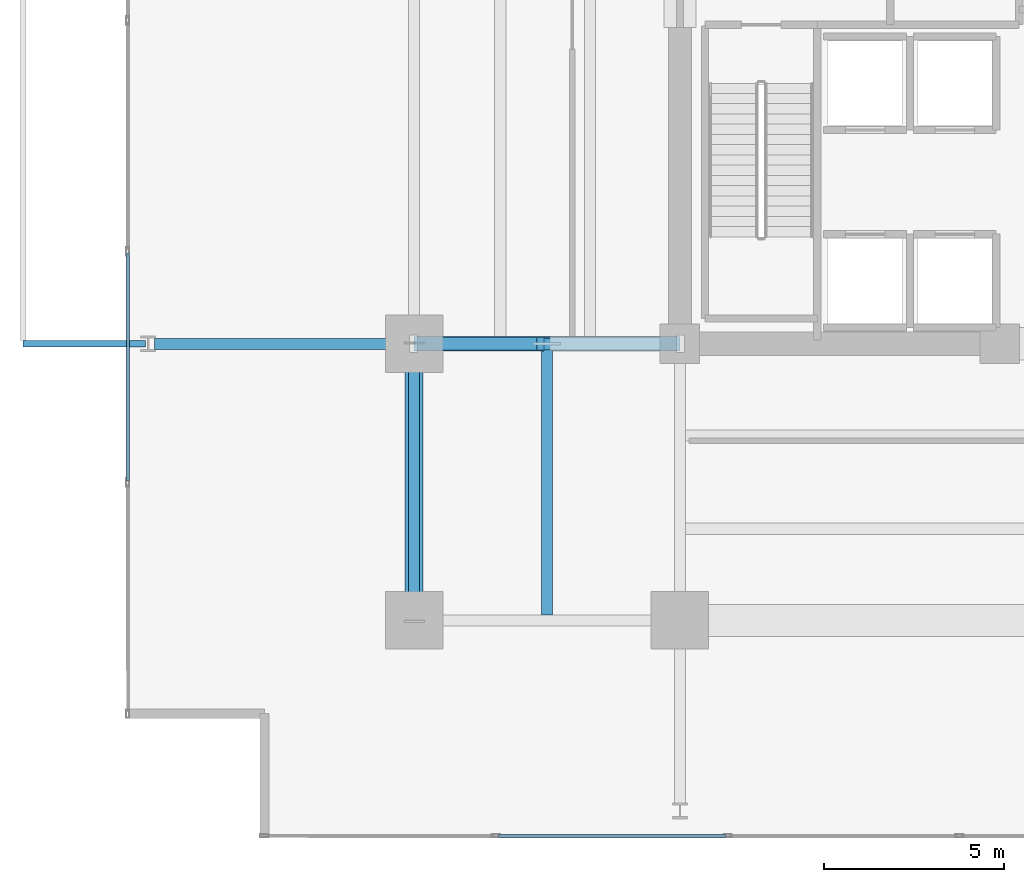
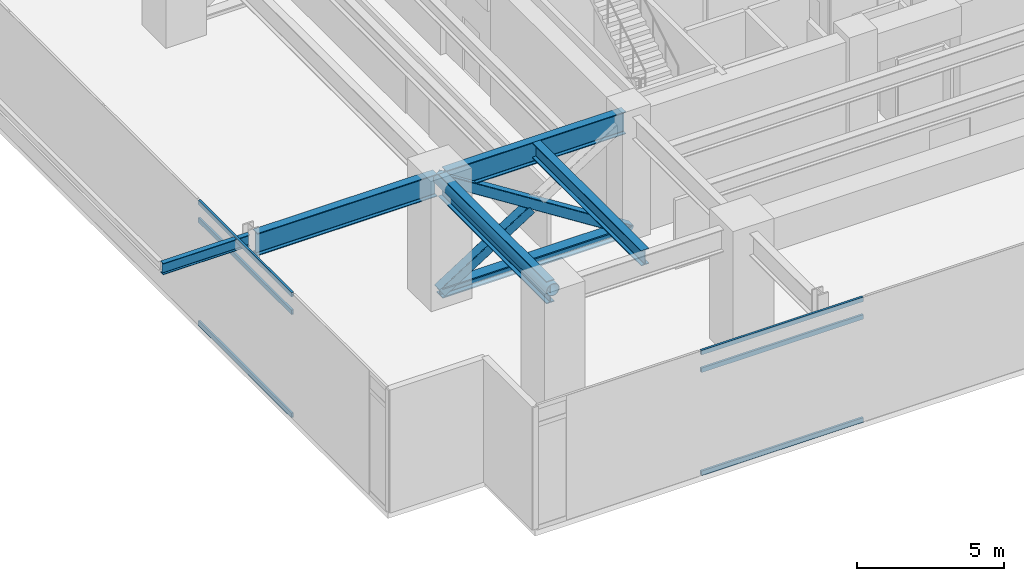
# One storey, part 3 of 26: 10 members, 5 beams, 2 elements without a shape of their own.
"""IFC4 building model written with IfcOpenShell, lengths in metres."""

import ifcopenshell
import ifcopenshell.guid

model = None  # the IFC model being written
_history = None  # IfcOwnerHistory: only IFC2X3 demands one
_inside = {}  # id of a spatial element -> (the spatial element, [elements in it])
_under = {}  # id of a project, library or spatial element -> (it, [spatial elements below it])
_declared = {}  # id of a project -> (the project, [libraries it declares])
_typed = {}  # id of a type object -> (the type object, [elements of that type])
_made_of = {}  # id of a material, layer set ... -> (it, [elements and type objects made of it])


def new_model(schema):
    """Start an empty IFC model of exactly this schema.

    Asked for "IFC4X3", IfcOpenShell would pick the latest addendum, in which some entities
    have other attributes; the version numbers below select the first issue.
    IFC2X3 requires an IfcOwnerHistory on every rooted entity: one is made here for all.
    """
    global model, _history
    if schema == "IFC4X3":
        model = ifcopenshell.file(schema_version=(4, 3, 0, 0))
    else:
        model = ifcopenshell.file(schema=schema)
    _inside.clear()
    _under.clear()
    _declared.clear()
    _typed.clear()
    _made_of.clear()
    _history = None
    if model.schema == "IFC2X3":
        org = make("IfcOrganization", Name="unknown")
        user = make(
            "IfcPersonAndOrganization",
            ThePerson=make("IfcPerson", FamilyName="unknown"),
            TheOrganization=org,
        )
        app = make(
            "IfcApplication",
            ApplicationDeveloper=org,
            Version="unknown",
            ApplicationFullName="unknown",
            ApplicationIdentifier="unknown",
        )
        _history = make(
            "IfcOwnerHistory",
            OwningUser=user,
            OwningApplication=app,
            ChangeAction="ADDED",
            CreationDate=0,
        )
    return model


def make(cls, **values):
    """One entity of the class cls with the attributes given. An attribute that is None is left unset."""
    return model.create_entity(
        cls, **{name: value for name, value in values.items() if value is not None}
    )


def rooted(cls, **values):
    """An entity with a GlobalId (a new one), such as an element, a storey or a relation."""
    return make(cls, GlobalId=ifcopenshell.guid.new(), OwnerHistory=_history, **values)


def si_unit(unit_type, name, prefix=None):
    """IfcSIUnit, for example si_unit("LENGTHUNIT", "METRE", prefix="MILLI")."""
    return make("IfcSIUnit", UnitType=unit_type, Prefix=prefix, Name=name)


def assignment(units):
    """IfcUnitAssignment: the units of a project."""
    return None if units is None else make("IfcUnitAssignment", Units=units)


def point(xyz):
    """IfcCartesianPoint."""
    return None if xyz is None else make("IfcCartesianPoint", Coordinates=xyz)


def direction(xyz):
    """IfcDirection."""
    return None if xyz is None else make("IfcDirection", DirectionRatios=xyz)


def frame(location, z_axis=None, x_axis=None):
    """IfcAxis2Placement3D, a coordinate frame: its origin and axes. An axis left out is left unset."""
    return make(
        "IfcAxis2Placement3D",
        Location=point(location),
        Axis=direction(z_axis),
        RefDirection=direction(x_axis),
    )


def frame_2d(location, x_axis=None):
    """IfcAxis2Placement2D, a coordinate frame in the plane: its origin and x axis."""
    return make(
        "IfcAxis2Placement2D", Location=point(location), RefDirection=direction(x_axis)
    )


def origin():
    """The frame at (0, 0, 0) with its axes left unset."""
    return frame((0.0, 0.0, 0.0))


def origin_2d():
    """The frame at (0, 0) in the plane with its x axis left unset."""
    return frame_2d((0.0, 0.0))


def place(relative_to, where):
    """IfcLocalPlacement: puts the frame where relative to a parent placement (None: the world)."""
    return make(
        "IfcLocalPlacement", PlacementRelTo=relative_to, RelativePlacement=where
    )


def context(
    kind, dimensions, precision=None, world=None, true_north=None, identifier=None
):
    """IfcGeometricRepresentationContext, for example the 3D "Model" context."""
    return make(
        "IfcGeometricRepresentationContext",
        ContextIdentifier=identifier,
        ContextType=kind,
        CoordinateSpaceDimension=dimensions,
        Precision=precision,
        WorldCoordinateSystem=world,
        TrueNorth=true_north,
    )


def subcontext(parent, identifier, kind, view, scale=None):
    """IfcGeometricRepresentationSubContext, for example "Body" below "Model"."""
    return make(
        "IfcGeometricRepresentationSubContext",
        ContextIdentifier=identifier,
        ContextType=kind,
        ParentContext=parent,
        TargetScale=scale,
        TargetView=view,
    )


def project(units=None, contexts=None):
    """IfcProject with its units and contexts."""
    return rooted(
        "IfcProject",
        Name="project",
        RepresentationContexts=contexts,
        UnitsInContext=assignment(units),
    )


def spatial(cls, under=None, at=None, **own):
    """A site, building, storey or space (cls), placed at a placement, below another one or the project."""
    s = rooted(cls, ObjectPlacement=at, **own)
    if under is not None:
        _under.setdefault(under.id(), (under, []))[1].append(s)
    return s


def profile(cls, at=None, kind="AREA", **sizes):
    """A parametric profile (cls). Its sizes go by their IFC names, for example OverallWidth=200.0."""
    return make(cls, ProfileType=kind, Position=at, **sizes)


def hollow_rectangle(**sizes):
    """IfcRectangleHollowProfileDef."""
    return profile("IfcRectangleHollowProfileDef", **sizes)


def hollow_circle(**sizes):
    """IfcCircleHollowProfileDef."""
    return profile("IfcCircleHollowProfileDef", **sizes)


def i_section(**sizes):
    """IfcIShapeProfileDef."""
    return profile("IfcIShapeProfileDef", **sizes)


def extrude(swept, where, along, depth):
    """IfcExtrudedAreaSolid: the profile swept, set in the frame where, extruded along a direction by depth."""
    return make(
        "IfcExtrudedAreaSolid",
        SweptArea=swept,
        Position=where,
        ExtrudedDirection=direction(along),
        Depth=depth,
    )


def shape(context_of_items, identifier, shape_type, items):
    """IfcShapeRepresentation: the items that make up one representation, for example the "Body"."""
    return make(
        "IfcShapeRepresentation",
        ContextOfItems=context_of_items,
        RepresentationIdentifier=identifier,
        RepresentationType=shape_type,
        Items=items,
    )


def material(Name=None, Category=None):
    """IfcMaterial."""
    return make("IfcMaterial", Name=Name, Category=Category)


def material_profile(
    of_material, cross_section, Name=None, Category=None, Priority=None
):
    """IfcMaterialProfile: a cross section and its material."""
    return make(
        "IfcMaterialProfile",
        Name=Name,
        Material=of_material,
        Profile=cross_section,
        Priority=Priority,
        Category=Category,
    )


def profile_set(profiles, Name=None, composite=None):
    """IfcMaterialProfileSet."""
    return make(
        "IfcMaterialProfileSet",
        Name=Name,
        MaterialProfiles=profiles,
        CompositeProfile=composite,
    )


def made_of(thing, what):
    """Note that an element or type object is made of a material, layer set ...; save() writes the relation."""
    if what is not None:
        _made_of.setdefault(what.id(), (what, []))[1].append(thing)
    return thing


def type_object(cls, material=None, **own):
    """A type object (cls), such as IfcWallType, which elements share."""
    return made_of(rooted(cls, **own), material)


def element(
    cls,
    number,
    at=None,
    inside=None,
    cuts=None,
    type_object=None,
    material=None,
    context=None,
    identifier="Body",
    shape_type=None,
    held_by="IfcProductDefinitionShape",
    body=None,
    shapes=None,
    **own,
):
    """One element of the class cls, such as IfcWall. Its Tag is "e" and its number.

    at: its placement. inside: the storey or other place that contains it. cuts: it is an
    opening in that element (IfcRelVoidsElement). A single representation is given by context,
    identifier, shape_type and body (its items); several are given by shapes. held_by: the class
    of the entity that holds the representations. save() writes the other relations.
    """
    e = rooted(cls, Tag="e%d" % number, ObjectPlacement=at, **own)
    if body is not None:
        shapes = [shape(context, identifier, shape_type, body)]
    if shapes is not None:
        e.Representation = make(held_by, Representations=shapes)
    if inside is not None:
        _inside.setdefault(inside.id(), (inside, []))[1].append(e)
    if cuts is not None:
        rooted(
            "IfcRelVoidsElement", RelatingBuildingElement=cuts, RelatedOpeningElement=e
        )
    if type_object is not None:
        _typed.setdefault(type_object.id(), (type_object, []))[1].append(e)
    return made_of(e, material)


def aggregate(whole, parts):
    """IfcRelAggregates: a whole, such as a stair, and the parts it consists of."""
    return rooted("IfcRelAggregates", RelatingObject=whole, RelatedObjects=parts)


def save(model, path):
    """Write the relations noted so far, then the file.

    IfcRelAggregates (storeys below a building ...), IfcRelContainedInSpatialStructure (elements
    in a storey), IfcRelDefinesByType, IfcRelAssociatesMaterial and IfcRelDeclares: one each for
    every whole, place, type object, material and project.
    """
    for whole, parts in _under.values():
        aggregate(whole, parts)
    for where, things in _inside.values():
        rooted(
            "IfcRelContainedInSpatialStructure",
            RelatedElements=things,
            RelatingStructure=where,
        )
    for kind, things in _typed.values():
        rooted("IfcRelDefinesByType", RelatedObjects=things, RelatingType=kind)
    for what, things in _made_of.values():
        rooted("IfcRelAssociatesMaterial", RelatedObjects=things, RelatingMaterial=what)
    for by, libraries in _declared.values():
        rooted("IfcRelDeclares", RelatingContext=by, RelatedDefinitions=libraries)
    model.write(path)


model = new_model("IFC4")

# Units and contexts
model_context = context("Model", 3, precision=1e-05, world=origin(), true_north=direction((0.0, 1.0)))
body_context = subcontext(model_context, "Body", "Model", "MODEL_VIEW")
ifc_project = project(units=[si_unit("LENGTHUNIT", "METRE"), si_unit("AREAUNIT", "SQUARE_METRE"), si_unit("VOLUMEUNIT", "CUBIC_METRE"), si_unit("PLANEANGLEUNIT", "RADIAN"), si_unit("MASSUNIT", "GRAM", prefix="KILO")], contexts=[model_context])

# Site, building, storey
site_placement = place(None, origin())
site = spatial("IfcSite", under=ifc_project, at=site_placement, CompositionType="ELEMENT")
building_placement = place(site_placement, origin())
building = spatial("IfcBuilding", under=site, at=building_placement, Name="Kovane Verandah Tower", CompositionType="ELEMENT")
storey_placement = place(building_placement, frame((0.0, 0.0, 113.0)))
storey = spatial("IfcBuildingStorey", under=building, at=storey_placement, Name="L26", CompositionType="ELEMENT", Elevation=113.0)

# Beams
ifc_material_1 = material(Name="Steel S460", Category="steel")
ifc_material_profile_1 = material_profile(ifc_material_1, i_section(OverallWidth=0.311279296875, OverallDepth=0.6357421875, WebThickness=0.018310546875, FlangeThickness=0.031494140625, FilletRadius=0.0166015625, at=origin_2d()), Name="UB610x305x238")
ifc_profile_set_1 = profile_set([ifc_material_profile_1], Name="Steel S460")
beam_type_1 = type_object("IfcBeamType", Name="BM-UB610x238", PredefinedType="BEAM", material=ifc_profile_set_1)
beam_1_placement = place(storey_placement, frame((25.300048828125, 10.951904296875, 4.781982421875), z_axis=(0.0, 1.0, 0.0), x_axis=(-1.0, 0.0, 0.0)))
element("IfcBeam", 1, at=beam_1_placement, inside=storey, type_object=beam_type_1, Name="L26 Secondary Composite Joist J-SW1", PredefinedType="BEAM", context=body_context, shape_type="SweptSolid", body=[
    extrude(i_section(OverallWidth=0.311279296875, OverallDepth=0.6357421875, WebThickness=0.018310546875, FlangeThickness=0.031494140625, FilletRadius=0.0166015625, at=origin_2d()), origin(), (0.0, 0.0, 1.0), 7.396240234375),
])
ifc_material_profile_2 = material_profile(ifc_material_1, i_section(OverallWidth=0.3076171875, OverallDepth=0.926513671875, WebThickness=0.01953125, FlangeThickness=0.031982421875, FilletRadius=0.01904296875, at=origin_2d()), Name="UB914x305x289")
ifc_profile_set_2 = profile_set([ifc_material_profile_2], Name="Steel S460")
beam_type_2 = type_object("IfcBeamType", Name="BM-UB914x289", PredefinedType="BEAM", material=ifc_profile_set_2)
beam_2_placement = place(storey_placement, frame((21.60009765625, 10.97998046875, 4.63671875), z_axis=(0.0, 1.0, 0.0), x_axis=(-1.0, 0.0, 0.0)))
element("IfcBeam", 2, at=beam_2_placement, inside=storey, type_object=beam_type_2, Name="L26 Primary Tower Girder G-RW1", PredefinedType="BEAM", context=body_context, shape_type="SweptSolid", body=[
    extrude(i_section(OverallWidth=0.3076171875, OverallDepth=0.926513671875, WebThickness=0.01953125, FlangeThickness=0.031982421875, FilletRadius=0.01904296875, at=origin_2d()), origin(), (0.0, 0.0, 1.0), 7.340087890625),
])
for number, where, z_axis, x_axis, name in (
    (3, (28.820068359375, 18.5, 4.63671875), (-1.0, 0.0, 0.0), (0.0, -1.0, 0.0), "L26 Primary Tower Girder G-W1"),
    (4, (21.419921875, 18.5, 4.63671875), (-1.0, 0.0, 0.0), (0.0, -1.0, 0.0), "L26 Primary Tower Girder G-VW1"),
):
    element("IfcBeam", number, at=place(storey_placement, frame(where, z_axis=z_axis, x_axis=x_axis)), inside=storey, type_object=beam_type_2, Name=name, PredefinedType="BEAM", context=body_context, shape_type="SweptSolid", body=[
        extrude(i_section(OverallWidth=0.3076171875, OverallDepth=0.926513671875, WebThickness=0.01953125, FlangeThickness=0.031982421875, FilletRadius=0.01904296875, at=origin_2d()), origin(), (0.0, 0.0, 1.0), 7.0400390625),
    ])

# Curtain wall, members
ifc_material_2 = material(Name="Champagne Anodised Aluminium Frame with Low-E Clear Laminated Glass", Category="aluminium")
curtain_wall_type = type_object("IfcCurtainWallType", Name="CW-SYS-02-LOW", PredefinedType="NOTDEFINED", material=ifc_material_2)
curtain_wall_1_placement = place(storey_placement, origin())
curtain_wall_1 = element("IfcCurtainWall", 5, at=curtain_wall_1_placement, inside=storey, type_object=curtain_wall_type, Name="L26 S Unitised Curtain Wall", PredefinedType="NOTDEFINED")
ifc_material_3 = material(Name="Champagne Anodised Aluminium 6063-T6", Category="aluminium")
ifc_material_profile_3 = material_profile(ifc_material_3, hollow_rectangle(XDim=0.0849609375, YDim=0.18994140625, WallThickness=0.00390625, at=origin_2d()), Name="AL85x190x4")
ifc_profile_set_3 = profile_set([ifc_material_profile_3], Name="Champagne Anodised Aluminium 6063-T6")
member_type_1 = type_object("IfcMemberType", Name="CW-TRN-85x190", PredefinedType="USERDEFINED", material=ifc_profile_set_3)
member_1_placement = place(storey_placement, frame((23.932861328125, 4.80517578125, 0.050048828125), z_axis=(1.0, 0.0, 0.0), x_axis=(0.0, 1.0, 0.0)))
member_1 = element("IfcMember", 6, at=member_1_placement, type_object=member_type_1, Name="L26 S Unitised Curtain Wall Transom TB Bay 2", ObjectType="TRANSOM", PredefinedType="USERDEFINED", context=body_context, shape_type="SweptSolid", body=[
    extrude(hollow_rectangle(XDim=0.0849609375, YDim=0.18994140625, WallThickness=0.00390625, at=origin_2d()), origin(), (0.0, 0.0, 1.0), 6.346923828125),
])
member_2_placement = place(storey_placement, frame((23.932861328125, 4.80517578125, 4.320068359375), z_axis=(1.0, 0.0, 0.0), x_axis=(0.0, 1.0, 0.0)))
member_2 = element("IfcMember", 7, at=member_2_placement, type_object=member_type_1, Name="L26 S Unitised Curtain Wall Transom TM Bay 2", ObjectType="TRANSOM", PredefinedType="USERDEFINED", context=body_context, shape_type="SweptSolid", body=[
    extrude(hollow_rectangle(XDim=0.0849609375, YDim=0.18994140625, WallThickness=0.00390625, at=origin_2d()), origin(), (0.0, 0.0, 1.0), 6.346923828125),
])
member_3_placement = place(storey_placement, frame((23.932861328125, 4.80517578125, 5.050048828125), z_axis=(1.0, 0.0, 0.0), x_axis=(0.0, 1.0, 0.0)))
member_3 = element("IfcMember", 8, at=member_3_placement, type_object=member_type_1, Name="L26 S Unitised Curtain Wall Transom TT Bay 2", ObjectType="TRANSOM", PredefinedType="USERDEFINED", context=body_context, shape_type="SweptSolid", body=[
    extrude(hollow_rectangle(XDim=0.0849609375, YDim=0.18994140625, WallThickness=0.00390625, at=origin_2d()), origin(), (0.0, 0.0, 1.0), 6.346923828125),
])
aggregate(curtain_wall_1, [member_1, member_2, member_3])

curtain_wall_2_placement = place(storey_placement, origin())
curtain_wall_2 = element("IfcCurtainWall", 9, at=curtain_wall_2_placement, inside=storey, type_object=curtain_wall_type, Name="L26 W Unitised Curtain Wall", PredefinedType="NOTDEFINED")
member_4_placement = place(storey_placement, frame((13.635986328125, 21.018310546875, 0.050048828125), z_axis=(0.0, -1.0, 0.0), x_axis=(1.0, 0.0, 0.0)))
member_4 = element("IfcMember", 10, at=member_4_placement, type_object=member_type_1, Name="L26 W Unitised Curtain Wall Transom TB Bay 5", ObjectType="TRANSOM", PredefinedType="USERDEFINED", context=body_context, shape_type="SweptSolid", body=[
    extrude(hollow_rectangle(XDim=0.0849609375, YDim=0.18994140625, WallThickness=0.00390625, at=origin_2d()), origin(), (0.0, 0.0, 1.0), 6.33154296875),
])
member_5_placement = place(storey_placement, frame((13.635986328125, 21.018310546875, 4.320068359375), z_axis=(0.0, -1.0, 0.0), x_axis=(1.0, 0.0, 0.0)))
member_5 = element("IfcMember", 11, at=member_5_placement, type_object=member_type_1, Name="L26 W Unitised Curtain Wall Transom TM Bay 5", ObjectType="TRANSOM", PredefinedType="USERDEFINED", context=body_context, shape_type="SweptSolid", body=[
    extrude(hollow_rectangle(XDim=0.0849609375, YDim=0.18994140625, WallThickness=0.00390625, at=origin_2d()), origin(), (0.0, 0.0, 1.0), 6.33154296875),
])
member_6_placement = place(storey_placement, frame((13.635986328125, 21.018310546875, 5.050048828125), z_axis=(0.0, -1.0, 0.0), x_axis=(1.0, 0.0, 0.0)))
member_6 = element("IfcMember", 12, at=member_6_placement, type_object=member_type_1, Name="L26 W Unitised Curtain Wall Transom TT Bay 5", ObjectType="TRANSOM", PredefinedType="USERDEFINED", context=body_context, shape_type="SweptSolid", body=[
    extrude(hollow_rectangle(XDim=0.0849609375, YDim=0.18994140625, WallThickness=0.00390625, at=origin_2d()), origin(), (0.0, 0.0, 1.0), 6.33154296875),
])
aggregate(curtain_wall_2, [member_4, member_5, member_6])

# Beam
ifc_material_4 = material(Name="Steel S355", Category="steel")
ifc_material_profile_4 = material_profile(ifc_material_4, i_section(OverallWidth=0.19287109375, OverallDepth=0.46728515625, WebThickness=0.011474609375, FlangeThickness=0.01953125, FilletRadius=0.01025390625, at=origin_2d()), Name="UB457x191x98")
ifc_profile_set_4 = profile_set([ifc_material_profile_4], Name="Steel S355")
beam_type_3 = type_object("IfcBeamType", Name="JST-UB457x98", PredefinedType="JOIST", material=ifc_profile_set_4)
beam_3_placement = place(storey_placement, frame((14.1201171875, 18.5, 4.866455078125), z_axis=(-1.0, 0.0, 0.0), x_axis=(0.0, -1.0, 0.0)))
element("IfcBeam", 13, at=beam_3_placement, inside=storey, type_object=beam_type_3, Name="L26 West Planter Girder 1", PredefinedType="JOIST", context=body_context, shape_type="SweptSolid", body=[
    extrude(i_section(OverallWidth=0.19287109375, OverallDepth=0.46728515625, WebThickness=0.011474609375, FlangeThickness=0.01953125, FilletRadius=0.01025390625, at=origin_2d()), origin(), (0.0, 0.0, 1.0), 3.39990234375),
])

# Members
ifc_material_profile_5 = material_profile(ifc_material_1, hollow_circle(Radius=0.25390625, WallThickness=0.02001953125, at=origin_2d()), Name="CHS508x20")
ifc_profile_set_5 = profile_set([ifc_material_profile_5], Name="Steel S460")
member_type_2 = type_object("IfcMemberType", Name="MEM-BR-CHS508", PredefinedType="BRACE", material=ifc_profile_set_5)
member_7_placement = place(storey_placement, frame((21.60009765625, 10.800048828125, 4.820068359375), z_axis=(0.0, 1.0, 0.0), x_axis=(-1.0, 0.0, 0.0)))
element("IfcMember", 14, at=member_7_placement, inside=storey, type_object=member_type_2, Name="L26 Belt-Truss Ring Chord BW1", PredefinedType="BRACE", context=body_context, shape_type="SweptSolid", body=[
    extrude(hollow_circle(Radius=0.25390625, WallThickness=0.02001953125, at=origin_2d()), origin(), (0.0, 0.0, 1.0), 7.699951171875),
])
ifc_material_profile_6 = material_profile(ifc_material_1, hollow_rectangle(XDim=0.39990234375, YDim=0.39990234375, WallThickness=0.02001953125, InnerFilletRadius=0.02001953125, OuterFilletRadius=0.0400390625, at=origin_2d()), Name="SHS400x400x20")
ifc_profile_set_6 = profile_set([ifc_material_profile_6], Name="Steel S460")
member_type_3 = type_object("IfcMemberType", Name="MEM-BR-SHS400", PredefinedType="BRACE", material=ifc_profile_set_6)
member_8_placement = place(storey_placement, frame((29.0, 18.5, 0.1201171875), z_axis=(-0.844130190712, 0.0, 0.536138248149), x_axis=(0.0, -1.0, 0.0)))
element("IfcMember", 15, at=member_8_placement, inside=storey, type_object=member_type_3, Name="L26 Outrigger Continuous Diagonal OW1", PredefinedType="BRACE", context=body_context, shape_type="SweptSolid", body=[
    extrude(hollow_rectangle(XDim=0.39990234375, YDim=0.39990234375, WallThickness=0.02001953125, InnerFilletRadius=0.02001953125, OuterFilletRadius=0.0400390625, at=origin_2d()), origin(), (0.0, 0.0, 1.0), 8.766357421875),
])
member_9_placement = place(storey_placement, frame((21.60009765625, 18.5, 0.1201171875), z_axis=(0.844134458602, 0.0, 0.536131528452), x_axis=(0.0, 1.0, 0.0)))
element("IfcMember", 16, at=member_9_placement, inside=storey, type_object=member_type_3, Name="L26 Outrigger Split Diagonal Lower OW1", PredefinedType="BRACE", context=body_context, shape_type="SweptSolid", body=[
    extrude(hollow_rectangle(XDim=0.39990234375, YDim=0.39990234375, WallThickness=0.02001953125, InnerFilletRadius=0.02001953125, OuterFilletRadius=0.0400390625, at=origin_2d()), origin(), (0.0, 0.0, 1.0), 4.1630859375),
])
ifc_material_profile_7 = material_profile(ifc_material_1, i_section(OverallWidth=0.406982421875, OverallDepth=0.4189453125, WebThickness=0.030517578125, FlangeThickness=0.04931640625, FilletRadius=0.01513671875, at=origin_2d()), Name="UC356x406x393")
ifc_profile_set_7 = profile_set([ifc_material_profile_7], Name="Steel S460")
member_type_4 = type_object("IfcMemberType", Name="MEM-CHORD-UC393", PredefinedType="CHORD", material=ifc_profile_set_7)
member_10_placement = place(storey_placement, frame((29.0, 18.5, 0.1201171875), z_axis=(-1.0, 0.0, 0.0), x_axis=(0.0, -1.0, 0.0)))
element("IfcMember", 17, at=member_10_placement, inside=storey, type_object=member_type_4, Name="L26 Outrigger Bottom Chord OW1", PredefinedType="CHORD", context=body_context, shape_type="SweptSolid", body=[
    extrude(i_section(OverallWidth=0.406982421875, OverallDepth=0.4189453125, WebThickness=0.030517578125, FlangeThickness=0.04931640625, FilletRadius=0.01513671875, at=origin_2d()), origin(), (0.0, 0.0, 1.0), 7.39990234375),
])

save(model, "model.ifc")
